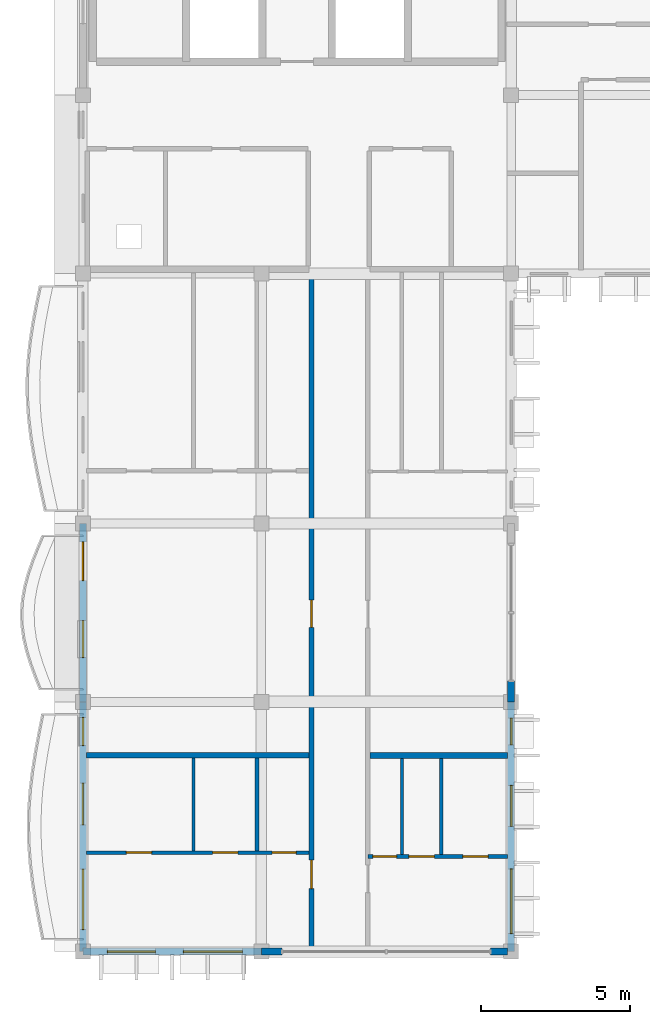
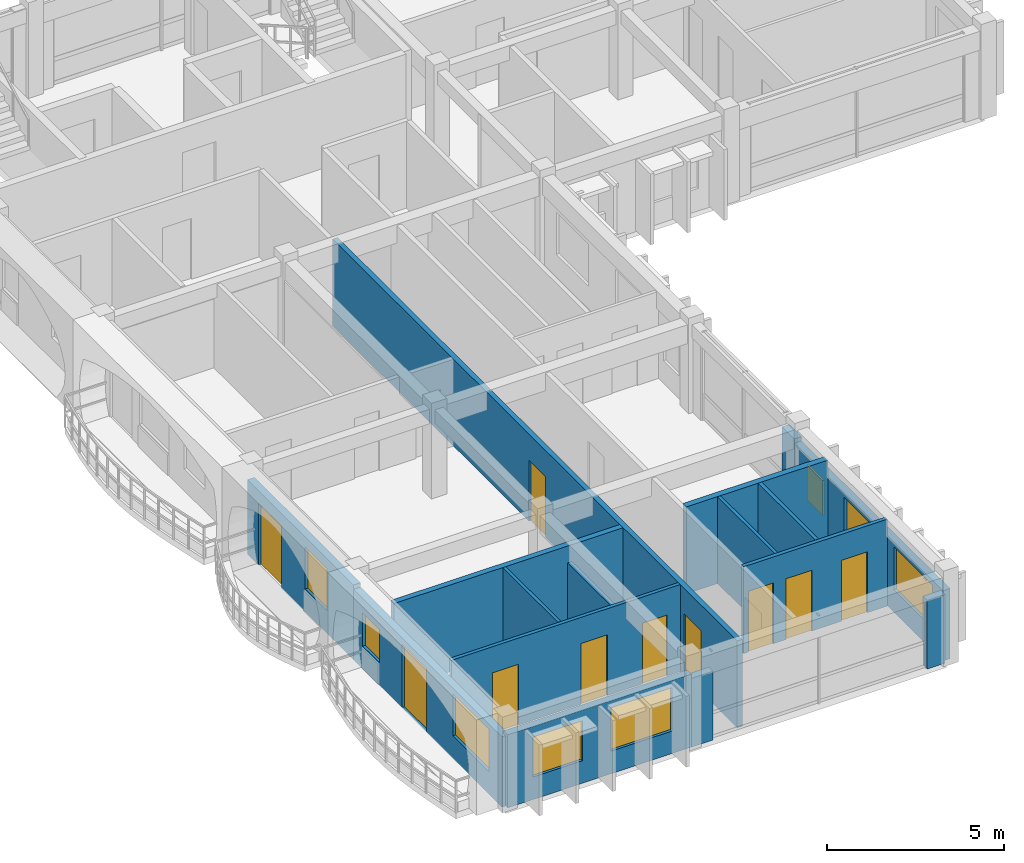
# One storey, part 4 of 10: 16 walls, 10 doors, 8 windows, 18 openings.
"""IFC4 building model written with IfcOpenShell, lengths in metres."""

from ifc_helpers import new_model, si_unit, direction, frame, frame_2d, origin, place, context, subcontext, project, spatial, rectangle, extrude, material, layer, layer_set, type_object, element, fill, save


model = new_model("IFC4")

# Units and contexts
model_context = context("Model", 3, precision=1e-05, world=origin(), true_north=direction((0.0, 1.0)))
body_context = subcontext(model_context, "Body", "Model", "MODEL_VIEW")
ifc_project = project(units=[si_unit("LENGTHUNIT", "METRE"), si_unit("AREAUNIT", "SQUARE_METRE"), si_unit("VOLUMEUNIT", "CUBIC_METRE"), si_unit("PLANEANGLEUNIT", "RADIAN"), si_unit("MASSUNIT", "GRAM", prefix="KILO"), si_unit("THERMODYNAMICTEMPERATUREUNIT", "KELVIN")], contexts=[model_context])

# Site, building, storey
site_placement = place(None, origin())
site = spatial("IfcSite", under=ifc_project, at=site_placement, CompositionType="ELEMENT")
building_placement = place(site_placement, origin())
building = spatial("IfcBuilding", under=site, at=building_placement, Name="Thalorik Housing Commons", CompositionType="ELEMENT")
storey_placement = place(building_placement, frame((0.0, 0.0, 44.39990234375)))
storey = spatial("IfcBuildingStorey", under=building, at=storey_placement, Name="L13", CompositionType="ELEMENT", Elevation=44.39990234375)

# Wall, openings, doors
ifc_material_1 = material(Name="Masonry fire-rated corridor wall", Category="masonry")
ifc_layer_1 = layer(ifc_material_1, 0.1650390625, Name="Masonry fire-rated corridor wall", Category="masonry")
ifc_layer_set_1 = layer_set([ifc_layer_1], Name="Masonry fire-rated corridor wall")
wall_type_1 = type_object("IfcWallType", Name="ARC-WAL-CORR-165", PredefinedType="PARTITIONING", material=ifc_layer_set_1)
wall_1_placement = place(storey_placement, frame((16.080078125, 86.4599609375, 0.0), z_axis=(0.0, 0.0, 1.0), x_axis=(0.0, 1.0, 0.0)))
wall_1 = element("IfcWall", 1, at=wall_1_placement, inside=storey, type_object=wall_type_1, Name="L13 Block A W Corridor Wall 1", PredefinedType="PARTITIONING", context=body_context, shape_type="SweptSolid", body=[
    extrude(rectangle(XDim=22.880126953125, YDim=0.1650390625, at=frame_2d((11.43994140625, 0.0))), origin(), (0.0, 0.0, 1.0), 3.0),
])
opening_1_placement = place(wall_1_placement, frame((2.06005859375, 0.0, 0.0)))
opening_1 = element("IfcOpeningElement", 2, at=opening_1_placement, cuts=wall_1, Name="Opening ID-0945", PredefinedType="OPENING", context=body_context, shape_type="SweptSolid", body=[
    extrude(rectangle(XDim=0.9599609375, YDim=2.1201171875, at=frame_2d((0.47998046875, 1.06005859375))), frame((0.0, 0.092529296875, 0.0), z_axis=(0.0, -1.0, 0.0), x_axis=(1.0, 0.0, 0.0)), (0.0, 0.0, 1.0), 0.18505859375),
])
opening_2_placement = place(wall_1_placement, frame((10.844970703125, 0.0, 0.0)))
opening_2 = element("IfcOpeningElement", 3, at=opening_2_placement, cuts=wall_1, Name="Opening ID-0946", PredefinedType="OPENING", context=body_context, shape_type="SweptSolid", body=[
    extrude(rectangle(XDim=0.919921875, YDim=2.10009765625, at=frame_2d((0.4599609375, 1.050048828125))), frame((0.0, 0.092529296875, 0.0), z_axis=(0.0, -1.0, 0.0), x_axis=(1.0, 0.0, 0.0)), (0.0, 0.0, 1.0), 0.18505859375),
])
ifc_material_2 = material(Name="Solid core hardwood timber", Category="wood")
door_type_1 = type_object("IfcDoorType", Name="ARC-DR-FD30-920", OperationType="NOTDEFINED", PredefinedType="DOOR", material=ifc_material_2)
door_1_placement = place(opening_2_placement, origin())
door_1 = element("IfcDoor", 4, at=door_1_placement, inside=storey, type_object=door_type_1, Name="L13 Flat AW-2A Entrance Door", OperationType="SINGLE_SWING_LEFT", OverallHeight=2.10009765625, OverallWidth=0.919921875, PredefinedType="DOOR", context=body_context, shape_type="SweptSolid", body=[
    extrude(rectangle(XDim=0.919921875, YDim=2.10009765625, at=frame_2d((0.4599609375, 1.050048828125))), frame((0.0, 0.02490234375, 0.0), z_axis=(0.0, -1.0, 0.0), x_axis=(1.0, 0.0, 0.0)), (0.0, 0.0, 1.0), 0.050048828125),
])
fill(opening_2, door_1)
door_type_2 = type_object("IfcDoorType", Name="ARC-DR-FD30-960", OperationType="NOTDEFINED", PredefinedType="DOOR", material=ifc_material_2)
door_2_placement = place(opening_1_placement, origin())
door_2 = element("IfcDoor", 5, at=door_2_placement, inside=storey, type_object=door_type_2, Name="L13 Flat AW-1A Entrance Door", OperationType="SINGLE_SWING_RIGHT", OverallHeight=2.1201171875, OverallWidth=0.9599609375, PredefinedType="DOOR", context=body_context, shape_type="SweptSolid", body=[
    extrude(rectangle(XDim=0.9599609375, YDim=2.1201171875, at=frame_2d((0.47998046875, 1.06005859375))), frame((0.0, 0.02490234375, 0.0), z_axis=(0.0, -1.0, 0.0), x_axis=(1.0, 0.0, 0.0)), (0.0, 0.0, 1.0), 0.050048828125),
])
fill(opening_1, door_2)

# Wall, openings, door, window
ifc_material_3 = material(Name="White precast concrete C40/50", Category="concrete")
ifc_layer_2 = layer(ifc_material_3, 0.235107421875, Name="White precast concrete C40/50", Category="concrete")
ifc_layer_set_2 = layer_set([ifc_layer_2], Name="White precast concrete C40/50")
wall_type_2 = type_object("IfcWallType", Name="ARC-WAL-EXT-235", PredefinedType="STANDARD", material=ifc_layer_set_2)
wall_2_placement = place(storey_placement, frame((8.39990234375, 100.800048828125, 0.0), z_axis=(0.0, 0.0, 1.0), x_axis=(0.0, -1.0, 0.0)))
wall_2 = element("IfcWall", 6, at=wall_2_placement, inside=storey, type_object=wall_type_2, Name="L13 Exterior Wall WAL-EXT-L13-A-0326", PredefinedType="STANDARD", context=body_context, shape_type="SweptSolid", body=[
    extrude(rectangle(XDim=6.0, YDim=0.235107421875, at=frame_2d((3.0, 0.0))), origin(), (0.0, 0.0, 1.0), 2.5751953125),
])
opening_3_placement = place(wall_2_placement, frame((0.6201171875, 0.0, 0.0)))
opening_3 = element("IfcOpeningElement", 7, at=opening_3_placement, cuts=wall_2, Name="Opening ED-0104", PredefinedType="OPENING", context=body_context, shape_type="SweptSolid", body=[
    extrude(rectangle(XDim=1.300048828125, YDim=2.14990234375, at=frame_2d((0.64990234375, 1.074951171875))), frame((0.0, 0.12744140625, 0.0), z_axis=(0.0, -1.0, 0.0), x_axis=(1.0, 0.0, 0.0)), (0.0, 0.0, 1.0), 0.255126953125),
])
opening_4_placement = place(wall_2_placement, frame((3.264892578125, 0.0, 0.780029296875)))
opening_4 = element("IfcOpeningElement", 8, at=opening_4_placement, cuts=wall_2, Name="Opening W-47", PredefinedType="OPENING", context=body_context, shape_type="SweptSolid", body=[
    extrude(rectangle(XDim=1.25, YDim=1.449951171875, at=frame_2d((0.625, 0.72509765625))), frame((0.0, 0.12744140625, 0.0), z_axis=(0.0, -1.0, 0.0), x_axis=(1.0, 0.0, 0.0)), (0.0, 0.0, 1.0), 0.255126953125),
])
ifc_material_4 = material(Name="Anodised aluminium and laminated safety glass", Category="aluminium")
door_type_3 = type_object("IfcDoorType", Name="ARC-DR-BAL-1300", OperationType="NOTDEFINED", PredefinedType="DOOR", material=ifc_material_4)
door_3_placement = place(opening_3_placement, frame((1.300048828125, 0.0, 0.0), z_axis=(0.0, 0.0, 1.0), x_axis=(-1.0, 0.0, 0.0)))
door_3 = element("IfcDoor", 9, at=door_3_placement, inside=storey, type_object=door_type_3, Name="L13 Block A Balcony Glazed Door", OperationType="SINGLE_SWING_LEFT", OverallHeight=2.14990234375, OverallWidth=1.300048828125, PredefinedType="DOOR", context=body_context, shape_type="SweptSolid", body=[
    extrude(rectangle(XDim=1.300048828125, YDim=2.14990234375, at=frame_2d((0.64990234375, 1.074951171875))), frame((0.0, 0.02490234375, 0.0), z_axis=(0.0, -1.0, 0.0), x_axis=(1.0, 0.0, 0.0)), (0.0, 0.0, 1.0), 0.050048828125),
])
fill(opening_3, door_3)
ifc_material_5 = material(Name="Anodised aluminium and solar-control low-E glass", Category="aluminium")
window_type_1 = type_object("IfcWindowType", Name="ARC-WIN-47", PartitioningType="SINGLE_PANEL", PredefinedType="WINDOW", material=ifc_material_5)
window_1_placement = place(opening_4_placement, origin())
window_1 = element("IfcWindow", 10, at=window_1_placement, inside=storey, type_object=window_type_1, Name="L13 Facade Window 583", OverallHeight=1.449951171875, OverallWidth=1.25, PartitioningType="SINGLE_PANEL", PredefinedType="WINDOW", context=body_context, shape_type="SweptSolid", body=[
    extrude(rectangle(XDim=1.25, YDim=1.449951171875, at=frame_2d((0.625, 0.72509765625))), frame((0.0, 0.030029296875, 0.0), z_axis=(0.0, -1.0, 0.0), x_axis=(1.0, 0.0, 0.0)), (0.0, 0.0, 1.0), 0.06005859375),
])
fill(opening_4, window_1)

# Wall, openings, door, windows
wall_3_placement = place(storey_placement, frame((8.39990234375, 94.800048828125, 0.0), z_axis=(0.0, 0.0, 1.0), x_axis=(0.0, -1.0, 0.0)))
wall_3 = element("IfcWall", 11, at=wall_3_placement, inside=storey, type_object=wall_type_2, Name="L13 Exterior Wall WAL-EXT-L13-A-0327", PredefinedType="STANDARD", context=body_context, shape_type="SweptSolid", body=[
    extrude(rectangle(XDim=8.400146484375, YDim=0.235107421875, at=frame_2d((4.2001953125, 0.0))), origin(), (0.0, 0.0, 1.0), 2.425048828125),
])
opening_5_placement = place(wall_3_placement, frame((2.735107421875, 0.0, 0.0)))
opening_5 = element("IfcOpeningElement", 12, at=opening_5_placement, cuts=wall_3, Name="Opening ED-0105", PredefinedType="OPENING", context=body_context, shape_type="SweptSolid", body=[
    extrude(rectangle(XDim=1.39990234375, YDim=2.199951171875, at=frame_2d((0.699951171875, 1.10009765625))), frame((0.0, 0.12744140625, 0.0), z_axis=(0.0, -1.0, 0.0), x_axis=(1.0, 0.0, 0.0)), (0.0, 0.0, 1.0), 0.255126953125),
])
opening_6_placement = place(wall_3_placement, frame((0.52001953125, 0.0, 0.780029296875)))
opening_6 = element("IfcOpeningElement", 13, at=opening_6_placement, cuts=wall_3, Name="Opening W-43", PredefinedType="OPENING", context=body_context, shape_type="SweptSolid", body=[
    extrude(rectangle(XDim=0.949951171875, YDim=1.14990234375, at=frame_2d((0.47509765625, 0.574951171875))), frame((0.0, 0.12744140625, 0.0), z_axis=(0.0, -1.0, 0.0), x_axis=(1.0, 0.0, 0.0)), (0.0, 0.0, 1.0), 0.255126953125),
])
opening_7_placement = place(wall_3_placement, frame((5.6201171875, 0.0, 0.780029296875)))
opening_7 = element("IfcOpeningElement", 14, at=opening_7_placement, cuts=wall_3, Name="Opening W-62", PredefinedType="OPENING", context=body_context, shape_type="SweptSolid", body=[
    extrude(rectangle(XDim=2.0400390625, YDim=1.4599609375, at=frame_2d((1.02001953125, 0.72998046875))), frame((0.0, 0.12744140625, 0.0), z_axis=(0.0, -1.0, 0.0), x_axis=(1.0, 0.0, 0.0)), (0.0, 0.0, 1.0), 0.255126953125),
])
door_type_4 = type_object("IfcDoorType", Name="ARC-DR-BAL-1400", OperationType="NOTDEFINED", PredefinedType="DOOR", material=ifc_material_4)
door_4_placement = place(opening_5_placement, frame((1.39990234375, 0.0, 0.0), z_axis=(0.0, 0.0, 1.0), x_axis=(-1.0, 0.0, 0.0)))
door_4 = element("IfcDoor", 15, at=door_4_placement, inside=storey, type_object=door_type_4, Name="L13 Block A Balcony Glazed Door", OperationType="SLIDING_TO_LEFT", OverallHeight=2.199951171875, OverallWidth=1.39990234375, PredefinedType="DOOR", context=body_context, shape_type="SweptSolid", body=[
    extrude(rectangle(XDim=1.39990234375, YDim=2.199951171875, at=frame_2d((0.699951171875, 1.10009765625))), frame((0.0, 0.02490234375, 0.0), z_axis=(0.0, -1.0, 0.0), x_axis=(1.0, 0.0, 0.0)), (0.0, 0.0, 1.0), 0.050048828125),
])
fill(opening_5, door_4)
window_type_2 = type_object("IfcWindowType", Name="ARC-WIN-43", PartitioningType="SINGLE_PANEL", PredefinedType="WINDOW", material=ifc_material_5)
window_2_placement = place(opening_6_placement, origin())
window_2 = element("IfcWindow", 16, at=window_2_placement, inside=storey, type_object=window_type_2, Name="L13 Facade Window 584", OverallHeight=1.14990234375, OverallWidth=0.949951171875, PartitioningType="SINGLE_PANEL", PredefinedType="WINDOW", context=body_context, shape_type="SweptSolid", body=[
    extrude(rectangle(XDim=0.949951171875, YDim=1.14990234375, at=frame_2d((0.47509765625, 0.574951171875))), frame((0.0, 0.030029296875, 0.0), z_axis=(0.0, -1.0, 0.0), x_axis=(1.0, 0.0, 0.0)), (0.0, 0.0, 1.0), 0.06005859375),
])
fill(opening_6, window_2)
window_type_3 = type_object("IfcWindowType", Name="ARC-WIN-62", PartitioningType="DOUBLE_PANEL_VERTICAL", PredefinedType="WINDOW", material=ifc_material_5)
window_3_placement = place(opening_7_placement, origin())
window_3 = element("IfcWindow", 17, at=window_3_placement, inside=storey, type_object=window_type_3, Name="L13 Facade Window 585", OverallHeight=1.4599609375, OverallWidth=2.0400390625, PartitioningType="DOUBLE_PANEL_VERTICAL", PredefinedType="WINDOW", context=body_context, shape_type="SweptSolid", body=[
    extrude(rectangle(XDim=2.0400390625, YDim=1.4599609375, at=frame_2d((1.02001953125, 0.72998046875))), frame((0.0, 0.030029296875, 0.0), z_axis=(0.0, -1.0, 0.0), x_axis=(1.0, 0.0, 0.0)), (0.0, 0.0, 1.0), 0.06005859375),
])
fill(opening_7, window_3)

# Wall, openings, windows
wall_4_placement = place(storey_placement, frame((8.39990234375, 86.39990234375, 0.0), z_axis=(0.0, 0.0, 1.0), x_axis=(1.0, 0.0, 0.0)))
wall_4 = element("IfcWall", 18, at=wall_4_placement, inside=storey, type_object=wall_type_2, Name="L13 Exterior Wall WAL-EXT-L13-A-0328", PredefinedType="STANDARD", context=body_context, shape_type="SweptSolid", body=[
    extrude(rectangle(XDim=6.0, YDim=0.235107421875, at=frame_2d((3.0, 0.0))), origin(), (0.0, 0.0, 1.0), 2.525146484375),
])
opening_8_placement = place(wall_4_placement, frame((0.820068359375, 0.0, 0.780029296875)))
opening_8 = element("IfcOpeningElement", 19, at=opening_8_placement, cuts=wall_4, Name="Opening W-54", PredefinedType="OPENING", context=body_context, shape_type="SweptSolid", body=[
    extrude(rectangle(XDim=1.6201171875, YDim=1.3798828125, at=frame_2d((0.81005859375, 0.68994140625))), frame((0.0, 0.12744140625, 0.0), z_axis=(0.0, -1.0, 0.0), x_axis=(1.0, 0.0, 0.0)), (0.0, 0.0, 1.0), 0.255126953125),
])
opening_9_placement = place(wall_4_placement, frame((3.3798828125, 0.0, 0.780029296875)))
opening_9 = element("IfcOpeningElement", 20, at=opening_9_placement, cuts=wall_4, Name="Opening W-61", PredefinedType="OPENING", context=body_context, shape_type="SweptSolid", body=[
    extrude(rectangle(XDim=1.97998046875, YDim=1.5, at=frame_2d((0.989990234375, 0.75))), frame((0.0, 0.12744140625, 0.0), z_axis=(0.0, -1.0, 0.0), x_axis=(1.0, 0.0, 0.0)), (0.0, 0.0, 1.0), 0.255126953125),
])
window_type_4 = type_object("IfcWindowType", Name="ARC-WIN-54", PartitioningType="DOUBLE_PANEL_VERTICAL", PredefinedType="WINDOW", material=ifc_material_5)
window_4_placement = place(opening_8_placement, origin())
window_4 = element("IfcWindow", 21, at=window_4_placement, inside=storey, type_object=window_type_4, Name="L13 Facade Window 586", OverallHeight=1.3798828125, OverallWidth=1.6201171875, PartitioningType="DOUBLE_PANEL_VERTICAL", PredefinedType="WINDOW", context=body_context, shape_type="SweptSolid", body=[
    extrude(rectangle(XDim=1.6201171875, YDim=1.3798828125, at=frame_2d((0.81005859375, 0.68994140625))), frame((0.0, 0.030029296875, 0.0), z_axis=(0.0, -1.0, 0.0), x_axis=(1.0, 0.0, 0.0)), (0.0, 0.0, 1.0), 0.06005859375),
])
fill(opening_8, window_4)
window_type_5 = type_object("IfcWindowType", Name="ARC-WIN-61", PartitioningType="DOUBLE_PANEL_VERTICAL", PredefinedType="WINDOW", material=ifc_material_5)
window_5_placement = place(opening_9_placement, origin())
window_5 = element("IfcWindow", 22, at=window_5_placement, inside=storey, type_object=window_type_5, Name="L13 Facade Window 587", OverallHeight=1.5, OverallWidth=1.97998046875, PartitioningType="DOUBLE_PANEL_VERTICAL", PredefinedType="WINDOW", context=body_context, shape_type="SweptSolid", body=[
    extrude(rectangle(XDim=1.97998046875, YDim=1.5, at=frame_2d((0.989990234375, 0.75))), frame((0.0, 0.030029296875, 0.0), z_axis=(0.0, -1.0, 0.0), x_axis=(1.0, 0.0, 0.0)), (0.0, 0.0, 1.0), 0.06005859375),
])
fill(opening_9, window_5)

# Walls
wall_5_placement = place(storey_placement, frame((14.39990234375, 86.39990234375, 0.0), z_axis=(0.0, 0.0, 1.0), x_axis=(1.0, 0.0, 0.0)))
element("IfcWall", 23, at=wall_5_placement, inside=storey, type_object=wall_type_2, Name="L13 Exterior Wall WAL-PIERL-L13-A-0329", PredefinedType="STANDARD", context=body_context, shape_type="SweptSolid", body=[
    extrude(rectangle(XDim=0.7001953125, YDim=0.235107421875, at=frame_2d((0.35009765625, 0.0))), origin(), (0.0, 0.0, 1.0), 2.375),
])
wall_6_placement = place(storey_placement, frame((22.10009765625, 86.39990234375, 0.0), z_axis=(0.0, 0.0, 1.0), x_axis=(1.0, 0.0, 0.0)))
element("IfcWall", 24, at=wall_6_placement, inside=storey, type_object=wall_type_2, Name="L13 Exterior Wall WAL-PIERR-L13-A-0329", PredefinedType="STANDARD", context=body_context, shape_type="SweptSolid", body=[
    extrude(rectangle(XDim=0.580322265625, YDim=0.235107421875, at=frame_2d((0.2900390625, 0.0))), origin(), (0.0, 0.0, 1.0), 2.375),
])

# Wall, openings, windows
wall_7_placement = place(storey_placement, frame((22.800048828125, 86.39990234375, 0.0), z_axis=(0.0, 0.0, 1.0), x_axis=(0.0, 1.0, 0.0)))
wall_7 = element("IfcWall", 25, at=wall_7_placement, inside=storey, type_object=wall_type_2, Name="L13 Exterior Wall WAL-EXT-L13-A-0330", PredefinedType="STANDARD", context=body_context, shape_type="SweptSolid", body=[
    extrude(rectangle(XDim=8.400146484375, YDim=0.235107421875, at=frame_2d((4.2001953125, 0.0))), origin(), (0.0, 0.0, 1.0), 2.425048828125),
])
opening_10_placement = place(wall_7_placement, frame((0.6044921875, 0.0, 0.780029296875)))
opening_10 = element("IfcOpeningElement", 26, at=opening_10_placement, cuts=wall_7, Name="Opening W-65", PredefinedType="OPENING", context=body_context, shape_type="SweptSolid", body=[
    extrude(rectangle(XDim=2.179931640625, YDim=1.47998046875, at=frame_2d((1.08984375, 0.739990234375))), frame((0.0, 0.12744140625, 0.0), z_axis=(0.0, -1.0, 0.0), x_axis=(1.0, 0.0, 0.0)), (0.0, 0.0, 1.0), 0.255126953125),
])
opening_11_placement = place(wall_7_placement, frame((4.209716796875, 0.0, 0.780029296875)))
opening_11 = element("IfcOpeningElement", 27, at=opening_11_placement, cuts=wall_7, Name="Opening W-49", PredefinedType="OPENING", context=body_context, shape_type="SweptSolid", body=[
    extrude(rectangle(XDim=1.3798828125, YDim=1.47998046875, at=frame_2d((0.68994140625, 0.739990234375))), frame((0.0, 0.12744140625, 0.0), z_axis=(0.0, -1.0, 0.0), x_axis=(1.0, 0.0, 0.0)), (0.0, 0.0, 1.0), 0.255126953125),
])
opening_12_placement = place(wall_7_placement, frame((6.955078125, 0.0, 0.780029296875)))
opening_12 = element("IfcOpeningElement", 28, at=opening_12_placement, cuts=wall_7, Name="Opening W-01", PredefinedType="OPENING", context=body_context, shape_type="SweptSolid", body=[
    extrude(rectangle(XDim=0.89990234375, YDim=1.199951171875, at=frame_2d((0.449951171875, 0.60009765625))), frame((0.0, 0.12744140625, 0.0), z_axis=(0.0, -1.0, 0.0), x_axis=(1.0, 0.0, 0.0)), (0.0, 0.0, 1.0), 0.255126953125),
])
window_type_6 = type_object("IfcWindowType", Name="ARC-WIN-01", PartitioningType="SINGLE_PANEL", PredefinedType="WINDOW", material=ifc_material_5)
window_6_placement = place(opening_12_placement, origin())
window_6 = element("IfcWindow", 29, at=window_6_placement, inside=storey, type_object=window_type_6, Name="L13 Facade Window 590", OverallHeight=1.199951171875, OverallWidth=0.89990234375, PartitioningType="SINGLE_PANEL", PredefinedType="WINDOW", context=body_context, shape_type="SweptSolid", body=[
    extrude(rectangle(XDim=0.89990234375, YDim=1.199951171875, at=frame_2d((0.449951171875, 0.60009765625))), frame((0.0, 0.030029296875, 0.0), z_axis=(0.0, -1.0, 0.0), x_axis=(1.0, 0.0, 0.0)), (0.0, 0.0, 1.0), 0.06005859375),
])
fill(opening_12, window_6)
window_type_7 = type_object("IfcWindowType", Name="ARC-WIN-49", PartitioningType="SINGLE_PANEL", PredefinedType="WINDOW", material=ifc_material_5)
window_7_placement = place(opening_11_placement, origin())
window_7 = element("IfcWindow", 30, at=window_7_placement, inside=storey, type_object=window_type_7, Name="L13 Facade Window 589", OverallHeight=1.47998046875, OverallWidth=1.3798828125, PartitioningType="SINGLE_PANEL", PredefinedType="WINDOW", context=body_context, shape_type="SweptSolid", body=[
    extrude(rectangle(XDim=1.3798828125, YDim=1.47998046875, at=frame_2d((0.68994140625, 0.739990234375))), frame((0.0, 0.030029296875, 0.0), z_axis=(0.0, -1.0, 0.0), x_axis=(1.0, 0.0, 0.0)), (0.0, 0.0, 1.0), 0.06005859375),
])
fill(opening_11, window_7)
window_type_8 = type_object("IfcWindowType", Name="ARC-WIN-65", PartitioningType="DOUBLE_PANEL_VERTICAL", PredefinedType="WINDOW", material=ifc_material_5)
window_8_placement = place(opening_10_placement, origin())
window_8 = element("IfcWindow", 31, at=window_8_placement, inside=storey, type_object=window_type_8, Name="L13 Facade Window 588", OverallHeight=1.47998046875, OverallWidth=2.179931640625, PartitioningType="DOUBLE_PANEL_VERTICAL", PredefinedType="WINDOW", context=body_context, shape_type="SweptSolid", body=[
    extrude(rectangle(XDim=2.179931640625, YDim=1.47998046875, at=frame_2d((1.08984375, 0.739990234375))), frame((0.0, 0.030029296875, 0.0), z_axis=(0.0, -1.0, 0.0), x_axis=(1.0, 0.0, 0.0)), (0.0, 0.0, 1.0), 0.06005859375),
])
fill(opening_10, window_8)

# Walls
wall_8_placement = place(storey_placement, frame((22.800048828125, 94.800048828125, 0.0), z_axis=(0.0, 0.0, 1.0), x_axis=(0.0, 1.0, 0.0)))
element("IfcWall", 32, at=wall_8_placement, inside=storey, type_object=wall_type_2, Name="L13 Exterior Wall WAL-PIERL-L13-A-0331", PredefinedType="STANDARD", context=body_context, shape_type="SweptSolid", body=[
    extrude(rectangle(XDim=0.699951171875, YDim=0.235107421875, at=frame_2d((0.35009765625, 0.0))), origin(), (0.0, 0.0, 1.0), 2.5751953125),
])
ifc_material_6 = material(Name="Gypsum light stud partition", Category="masonry")
ifc_layer_3 = layer(ifc_material_6, 0.10009765625, Name="Gypsum light stud partition", Category="masonry")
ifc_layer_set_3 = layer_set([ifc_layer_3], Name="Gypsum light stud partition")
wall_type_3 = type_object("IfcWallType", Name="ARC-WAL-PART-100", PredefinedType="PARTITIONING", material=ifc_layer_set_3)
wall_9_placement = place(storey_placement, frame((12.11767578125, 89.78955078125, 0.0), z_axis=(0.0, 0.0, 1.0), x_axis=(0.0, 1.0, 0.0)))
element("IfcWall", 33, at=wall_9_placement, inside=storey, type_object=wall_type_3, Name="L13 Unit 1 Bedroom Partition", PredefinedType="PARTITIONING", context=body_context, shape_type="SweptSolid", body=[
    extrude(rectangle(XDim=3.115966796875, YDim=0.10009765625, at=frame_2d((1.55810546875, 0.0))), origin(), (0.0, 0.0, 1.0), 3.0),
])
wall_10_placement = place(storey_placement, frame((19.122314453125, 89.663818359375, 0.0), z_axis=(0.0, 0.0, 1.0), x_axis=(0.0, 1.0, 0.0)))
element("IfcWall", 34, at=wall_10_placement, inside=storey, type_object=wall_type_3, Name="L13 Unit 1B Wet Wall", PredefinedType="PARTITIONING", context=body_context, shape_type="SweptSolid", body=[
    extrude(rectangle(XDim=3.234130859375, YDim=0.10009765625, at=frame_2d((1.6171875, 0.0))), origin(), (0.0, 0.0, 1.0), 3.0),
])

# Wall, openings, doors
ifc_material_7 = material(Name="Gypsum moisture-resistant partition", Category="masonry")
ifc_layer_4 = layer(ifc_material_7, 0.114990234375, Name="Gypsum moisture-resistant partition", Category="masonry")
ifc_layer_set_4 = layer_set([ifc_layer_4], Name="Gypsum moisture-resistant partition")
wall_type_4 = type_object("IfcWallType", Name="ARC-WAL-PART-115", PredefinedType="PARTITIONING", material=ifc_layer_set_4)
wall_11_placement = place(storey_placement, frame((8.51953125, 89.72998046875, 0.0), z_axis=(0.0, 0.0, 1.0), x_axis=(1.0, 0.0, 0.0)))
wall_11 = element("IfcWall", 35, at=wall_11_placement, inside=storey, type_object=wall_type_4, Name="L13 Unit 1 Spine Partition", PredefinedType="PARTITIONING", context=body_context, shape_type="SweptSolid", body=[
    extrude(rectangle(XDim=7.47607421875, YDim=0.114990234375, at=frame_2d((3.738037109375, 0.0))), origin(), (0.0, 0.0, 1.0), 3.0),
])
opening_13_placement = place(wall_11_placement, frame((1.34423828125, 0.0, 0.0)))
opening_13 = element("IfcOpeningElement", 36, at=opening_13_placement, cuts=wall_11, Name="Opening ID-0933", PredefinedType="OPENING", context=body_context, shape_type="SweptSolid", body=[
    extrude(rectangle(XDim=0.85009765625, YDim=2.10009765625, at=frame_2d((0.425048828125, 1.050048828125))), frame((0.0, 0.0673828125, 0.0), z_axis=(0.0, -1.0, 0.0), x_axis=(1.0, 0.0, 0.0)), (0.0, 0.0, 1.0), 0.135009765625),
])
opening_14_placement = place(wall_11_placement, frame((4.239990234375, 0.0, 0.0)))
opening_14 = element("IfcOpeningElement", 37, at=opening_14_placement, cuts=wall_11, Name="Opening ID-0934", PredefinedType="OPENING", context=body_context, shape_type="SweptSolid", body=[
    extrude(rectangle(XDim=0.85009765625, YDim=2.10009765625, at=frame_2d((0.425048828125, 1.050048828125))), frame((0.0, 0.0673828125, 0.0), z_axis=(0.0, -1.0, 0.0), x_axis=(1.0, 0.0, 0.0)), (0.0, 0.0, 1.0), 0.135009765625),
])
opening_15_placement = place(wall_11_placement, frame((6.24609375, 0.0, 0.0)))
opening_15 = element("IfcOpeningElement", 38, at=opening_15_placement, cuts=wall_11, Name="Opening ID-0935", PredefinedType="OPENING", context=body_context, shape_type="SweptSolid", body=[
    extrude(rectangle(XDim=0.800048828125, YDim=2.10009765625, at=frame_2d((0.39990234375, 1.050048828125))), frame((0.0, 0.0673828125, 0.0), z_axis=(0.0, -1.0, 0.0), x_axis=(1.0, 0.0, 0.0)), (0.0, 0.0, 1.0), 0.135009765625),
])
ifc_material_8 = material(Name="Moisture-resistant timber", Category="wood")
door_type_5 = type_object("IfcDoorType", Name="ARC-DR-INT-800", OperationType="NOTDEFINED", PredefinedType="DOOR", material=ifc_material_8)
door_5_placement = place(opening_15_placement, origin())
door_5 = element("IfcDoor", 39, at=door_5_placement, inside=storey, type_object=door_type_5, Name="L13 Flat Bathroom Door", OperationType="SINGLE_SWING_RIGHT", OverallHeight=2.10009765625, OverallWidth=0.800048828125, PredefinedType="DOOR", context=body_context, shape_type="SweptSolid", body=[
    extrude(rectangle(XDim=0.800048828125, YDim=2.10009765625, at=frame_2d((0.39990234375, 1.050048828125))), frame((0.0, 0.02490234375, 0.0), z_axis=(0.0, -1.0, 0.0), x_axis=(1.0, 0.0, 0.0)), (0.0, 0.0, 1.0), 0.050048828125),
])
fill(opening_15, door_5)
ifc_material_9 = material(Name="Engineered oak timber", Category="wood")
door_type_6 = type_object("IfcDoorType", Name="ARC-DR-INT-850", OperationType="NOTDEFINED", PredefinedType="DOOR", material=ifc_material_9)
door_6_placement = place(opening_13_placement, origin())
door_6 = element("IfcDoor", 40, at=door_6_placement, inside=storey, type_object=door_type_6, Name="L13 Double Bedroom Door", OperationType="SINGLE_SWING_RIGHT", OverallHeight=2.10009765625, OverallWidth=0.85009765625, PredefinedType="DOOR", context=body_context, shape_type="SweptSolid", body=[
    extrude(rectangle(XDim=0.85009765625, YDim=2.10009765625, at=frame_2d((0.425048828125, 1.050048828125))), frame((0.0, 0.02490234375, 0.0), z_axis=(0.0, -1.0, 0.0), x_axis=(1.0, 0.0, 0.0)), (0.0, 0.0, 1.0), 0.050048828125),
])
fill(opening_13, door_6)
door_7_placement = place(opening_14_placement, origin())
door_7 = element("IfcDoor", 41, at=door_7_placement, inside=storey, type_object=door_type_6, Name="L13 Galley Kitchen Door", OperationType="SINGLE_SWING_LEFT", OverallHeight=2.10009765625, OverallWidth=0.85009765625, PredefinedType="DOOR", context=body_context, shape_type="SweptSolid", body=[
    extrude(rectangle(XDim=0.85009765625, YDim=2.10009765625, at=frame_2d((0.425048828125, 1.050048828125))), frame((0.0, 0.02490234375, 0.0), z_axis=(0.0, -1.0, 0.0), x_axis=(1.0, 0.0, 0.0)), (0.0, 0.0, 1.0), 0.050048828125),
])
fill(opening_14, door_7)

# Wall
wall_12_placement = place(storey_placement, frame((20.455078125, 89.663818359375, 0.0), z_axis=(0.0, 0.0, 1.0), x_axis=(0.0, 1.0, 0.0)))
element("IfcWall", 42, at=wall_12_placement, inside=storey, type_object=wall_type_4, Name="L13 Unit 1B Bedroom Partition", PredefinedType="PARTITIONING", context=body_context, shape_type="SweptSolid", body=[
    extrude(rectangle(XDim=3.234130859375, YDim=0.114990234375, at=frame_2d((1.6171875, 0.0))), origin(), (0.0, 0.0, 1.0), 3.0),
])

# Wall, openings, doors
ifc_material_10 = material(Name="Gypsum acoustic stud partition", Category="masonry")
ifc_layer_5 = layer(ifc_material_10, 0.125, Name="Gypsum acoustic stud partition", Category="masonry")
ifc_layer_set_5 = layer_set([ifc_layer_5], Name="Gypsum acoustic stud partition")
wall_type_5 = type_object("IfcWallType", Name="ARC-WAL-PART-125", PredefinedType="PARTITIONING", material=ifc_layer_set_5)
wall_13_placement = place(storey_placement, frame((17.97998046875, 89.59912109375, 0.0), z_axis=(0.0, 0.0, 1.0), x_axis=(1.0, 0.0, 0.0)))
wall_13 = element("IfcWall", 43, at=wall_13_placement, inside=storey, type_object=wall_type_5, Name="L13 Unit 1B Spine Partition", PredefinedType="PARTITIONING", context=body_context, shape_type="SweptSolid", body=[
    extrude(rectangle(XDim=4.700439453125, YDim=0.125, at=frame_2d((2.35009765625, 0.0))), origin(), (0.0, 0.0, 1.0), 3.0),
])
opening_16_placement = place(wall_13_placement, frame((0.171142578125, 0.0, 0.0)))
opening_16 = element("IfcOpeningElement", 44, at=opening_16_placement, cuts=wall_13, Name="Opening ID-0936", PredefinedType="OPENING", context=body_context, shape_type="SweptSolid", body=[
    extrude(rectangle(XDim=0.800048828125, YDim=2.10009765625, at=frame_2d((0.39990234375, 1.050048828125))), frame((0.0, 0.072509765625, 0.0), z_axis=(0.0, -1.0, 0.0), x_axis=(1.0, 0.0, 0.0)), (0.0, 0.0, 1.0), 0.14501953125),
])
opening_17_placement = place(wall_13_placement, frame((1.3837890625, 0.0, 0.0)))
opening_17 = element("IfcOpeningElement", 45, at=opening_17_placement, cuts=wall_13, Name="Opening ID-0937", PredefinedType="OPENING", context=body_context, shape_type="SweptSolid", body=[
    extrude(rectangle(XDim=0.85009765625, YDim=2.10009765625, at=frame_2d((0.425048828125, 1.050048828125))), frame((0.0, 0.072509765625, 0.0), z_axis=(0.0, -1.0, 0.0), x_axis=(1.0, 0.0, 0.0)), (0.0, 0.0, 1.0), 0.14501953125),
])
opening_18_placement = place(wall_13_placement, frame((3.192626953125, 0.0, 0.0)))
opening_18 = element("IfcOpeningElement", 46, at=opening_18_placement, cuts=wall_13, Name="Opening ID-0938", PredefinedType="OPENING", context=body_context, shape_type="SweptSolid", body=[
    extrude(rectangle(XDim=0.85009765625, YDim=2.10009765625, at=frame_2d((0.425048828125, 1.050048828125))), frame((0.0, 0.072509765625, 0.0), z_axis=(0.0, -1.0, 0.0), x_axis=(1.0, 0.0, 0.0)), (0.0, 0.0, 1.0), 0.14501953125),
])
door_8_placement = place(opening_16_placement, origin())
door_8 = element("IfcDoor", 47, at=door_8_placement, inside=storey, type_object=door_type_5, Name="L13 Accessible Bathroom Door", OperationType="SINGLE_SWING_LEFT", OverallHeight=2.10009765625, OverallWidth=0.800048828125, PredefinedType="DOOR", context=body_context, shape_type="SweptSolid", body=[
    extrude(rectangle(XDim=0.800048828125, YDim=2.10009765625, at=frame_2d((0.39990234375, 1.050048828125))), frame((0.0, 0.02490234375, 0.0), z_axis=(0.0, -1.0, 0.0), x_axis=(1.0, 0.0, 0.0)), (0.0, 0.0, 1.0), 0.050048828125),
])
fill(opening_16, door_8)
door_9_placement = place(opening_17_placement, origin())
door_9 = element("IfcDoor", 48, at=door_9_placement, inside=storey, type_object=door_type_6, Name="L13 Galley Kitchen Door", OperationType="SINGLE_SWING_RIGHT", OverallHeight=2.10009765625, OverallWidth=0.85009765625, PredefinedType="DOOR", context=body_context, shape_type="SweptSolid", body=[
    extrude(rectangle(XDim=0.85009765625, YDim=2.10009765625, at=frame_2d((0.425048828125, 1.050048828125))), frame((0.0, 0.02490234375, 0.0), z_axis=(0.0, -1.0, 0.0), x_axis=(1.0, 0.0, 0.0)), (0.0, 0.0, 1.0), 0.050048828125),
])
fill(opening_17, door_9)
door_10_placement = place(opening_18_placement, origin())
door_10 = element("IfcDoor", 49, at=door_10_placement, inside=storey, type_object=door_type_6, Name="L13 Double Bedroom Door", OperationType="SINGLE_SWING_LEFT", OverallHeight=2.10009765625, OverallWidth=0.85009765625, PredefinedType="DOOR", context=body_context, shape_type="SweptSolid", body=[
    extrude(rectangle(XDim=0.85009765625, YDim=2.10009765625, at=frame_2d((0.425048828125, 1.050048828125))), frame((0.0, 0.02490234375, 0.0), z_axis=(0.0, -1.0, 0.0), x_axis=(1.0, 0.0, 0.0)), (0.0, 0.0, 1.0), 0.050048828125),
])
fill(opening_18, door_10)

# Walls
ifc_material_11 = material(Name="Ceramic masonry partition wall", Category="masonry")
ifc_layer_6 = layer(ifc_material_11, 0.139892578125, Name="Ceramic masonry partition wall", Category="masonry")
ifc_layer_set_6 = layer_set([ifc_layer_6], Name="Ceramic masonry partition wall")
wall_type_6 = type_object("IfcWallType", Name="ARC-WAL-PART-140", PredefinedType="PARTITIONING", material=ifc_layer_set_6)
wall_14_placement = place(storey_placement, frame((14.251220703125, 89.78955078125, 0.0), z_axis=(0.0, 0.0, 1.0), x_axis=(0.0, 1.0, 0.0)))
element("IfcWall", 50, at=wall_14_placement, inside=storey, type_object=wall_type_6, Name="L13 Unit 1 Wet Wall", PredefinedType="PARTITIONING", context=body_context, shape_type="SweptSolid", body=[
    extrude(rectangle(XDim=3.115966796875, YDim=0.139892578125, at=frame_2d((1.55810546875, 0.0))), origin(), (0.0, 0.0, 1.0), 2.425048828125),
])
ifc_material_12 = material(Name="Masonry acoustic blockwork wall", Category="masonry")
ifc_layer_7 = layer(ifc_material_12, 0.18505859375, Name="Masonry acoustic blockwork wall", Category="masonry")
ifc_layer_set_7 = layer_set([ifc_layer_7], Name="Masonry acoustic blockwork wall")
wall_type_7 = type_object("IfcWallType", Name="ARC-WAL-PARTY-185", PredefinedType="PARTITIONING", material=ifc_layer_set_7)
wall_15_placement = place(storey_placement, frame((8.51953125, 93.0, 0.0), z_axis=(0.0, 0.0, 1.0), x_axis=(1.0, 0.0, 0.0)))
element("IfcWall", 51, at=wall_15_placement, inside=storey, type_object=wall_type_7, Name="L13 Inter-Tenancy Wall 1A", PredefinedType="PARTITIONING", context=body_context, shape_type="SweptSolid", body=[
    extrude(rectangle(XDim=7.47607421875, YDim=0.18505859375, at=frame_2d((3.738037109375, 0.0))), origin(), (0.0, 0.0, 1.0), 3.0),
])
ifc_material_13 = material(Name="Precast concrete C40/50 acoustic wall", Category="concrete")
ifc_layer_8 = layer(ifc_material_13, 0.199951171875, Name="Precast concrete C40/50 acoustic wall", Category="concrete")
ifc_layer_set_8 = layer_set([ifc_layer_8], Name="Precast concrete C40/50 acoustic wall")
wall_type_8 = type_object("IfcWallType", Name="ARC-WAL-PARTY-200", PredefinedType="PARTITIONING", material=ifc_layer_set_8)
wall_16_placement = place(storey_placement, frame((18.056884765625, 93.0, 0.0), z_axis=(0.0, 0.0, 1.0), x_axis=(1.0, 0.0, 0.0)))
element("IfcWall", 52, at=wall_16_placement, inside=storey, type_object=wall_type_8, Name="L13 Inter-Tenancy Wall 1B", PredefinedType="PARTITIONING", context=body_context, shape_type="SweptSolid", body=[
    extrude(rectangle(XDim=4.62353515625, YDim=0.199951171875, at=frame_2d((2.311767578125, 0.0))), origin(), (0.0, 0.0, 1.0), 3.0),
])

save(model, "model.ifc")
